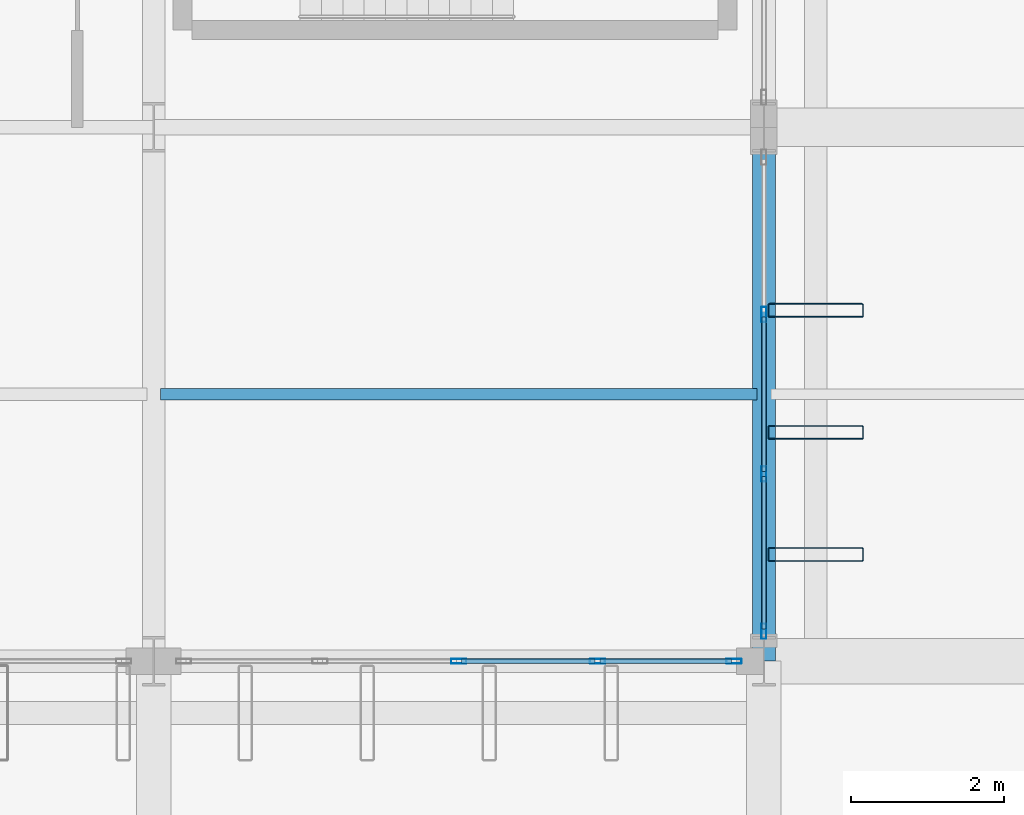
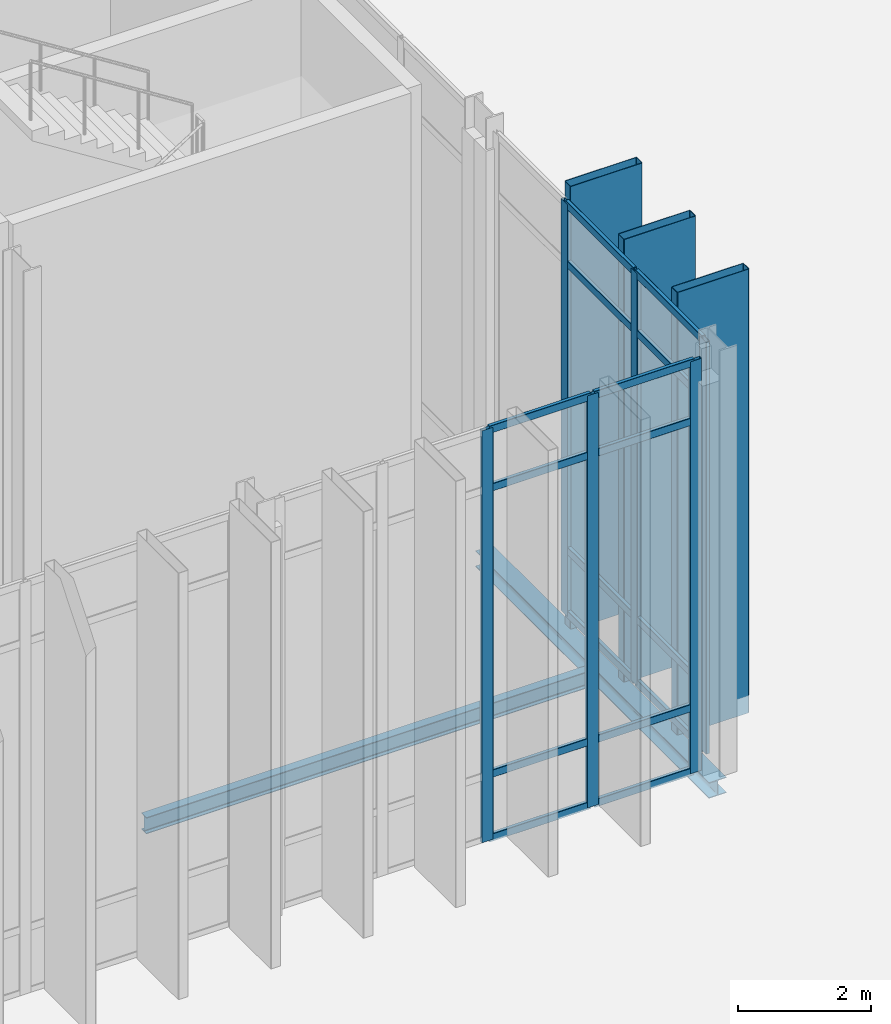
# One storey, part 87 of 176: 25 members, 2 beams, 2 elements without a shape of their own.
"""IFC4 building model written with IfcOpenShell, lengths in metres."""

import ifcopenshell
import ifcopenshell.guid

model = None  # the IFC model being written
_history = None  # IfcOwnerHistory: only IFC2X3 demands one
_inside = {}  # id of a spatial element -> (the spatial element, [elements in it])
_under = {}  # id of a project, library or spatial element -> (it, [spatial elements below it])
_declared = {}  # id of a project -> (the project, [libraries it declares])
_typed = {}  # id of a type object -> (the type object, [elements of that type])
_made_of = {}  # id of a material, layer set ... -> (it, [elements and type objects made of it])


def new_model(schema):
    """Start an empty IFC model of exactly this schema.

    Asked for "IFC4X3", IfcOpenShell would pick the latest addendum, in which some entities
    have other attributes; the version numbers below select the first issue.
    IFC2X3 requires an IfcOwnerHistory on every rooted entity: one is made here for all.
    """
    global model, _history
    if schema == "IFC4X3":
        model = ifcopenshell.file(schema_version=(4, 3, 0, 0))
    else:
        model = ifcopenshell.file(schema=schema)
    _inside.clear()
    _under.clear()
    _declared.clear()
    _typed.clear()
    _made_of.clear()
    _history = None
    if model.schema == "IFC2X3":
        org = make("IfcOrganization", Name="unknown")
        user = make(
            "IfcPersonAndOrganization",
            ThePerson=make("IfcPerson", FamilyName="unknown"),
            TheOrganization=org,
        )
        app = make(
            "IfcApplication",
            ApplicationDeveloper=org,
            Version="unknown",
            ApplicationFullName="unknown",
            ApplicationIdentifier="unknown",
        )
        _history = make(
            "IfcOwnerHistory",
            OwningUser=user,
            OwningApplication=app,
            ChangeAction="ADDED",
            CreationDate=0,
        )
    return model


def make(cls, **values):
    """One entity of the class cls with the attributes given. An attribute that is None is left unset."""
    return model.create_entity(
        cls, **{name: value for name, value in values.items() if value is not None}
    )


def rooted(cls, **values):
    """An entity with a GlobalId (a new one), such as an element, a storey or a relation."""
    return make(cls, GlobalId=ifcopenshell.guid.new(), OwnerHistory=_history, **values)


def si_unit(unit_type, name, prefix=None):
    """IfcSIUnit, for example si_unit("LENGTHUNIT", "METRE", prefix="MILLI")."""
    return make("IfcSIUnit", UnitType=unit_type, Prefix=prefix, Name=name)


def assignment(units):
    """IfcUnitAssignment: the units of a project."""
    return None if units is None else make("IfcUnitAssignment", Units=units)


def point(xyz):
    """IfcCartesianPoint."""
    return None if xyz is None else make("IfcCartesianPoint", Coordinates=xyz)


def direction(xyz):
    """IfcDirection."""
    return None if xyz is None else make("IfcDirection", DirectionRatios=xyz)


def frame(location, z_axis=None, x_axis=None):
    """IfcAxis2Placement3D, a coordinate frame: its origin and axes. An axis left out is left unset."""
    return make(
        "IfcAxis2Placement3D",
        Location=point(location),
        Axis=direction(z_axis),
        RefDirection=direction(x_axis),
    )


def frame_2d(location, x_axis=None):
    """IfcAxis2Placement2D, a coordinate frame in the plane: its origin and x axis."""
    return make(
        "IfcAxis2Placement2D", Location=point(location), RefDirection=direction(x_axis)
    )


def origin():
    """The frame at (0, 0, 0) with its axes left unset."""
    return frame((0.0, 0.0, 0.0))


def origin_2d():
    """The frame at (0, 0) in the plane with its x axis left unset."""
    return frame_2d((0.0, 0.0))


def place(relative_to, where):
    """IfcLocalPlacement: puts the frame where relative to a parent placement (None: the world)."""
    return make(
        "IfcLocalPlacement", PlacementRelTo=relative_to, RelativePlacement=where
    )


def context(
    kind, dimensions, precision=None, world=None, true_north=None, identifier=None
):
    """IfcGeometricRepresentationContext, for example the 3D "Model" context."""
    return make(
        "IfcGeometricRepresentationContext",
        ContextIdentifier=identifier,
        ContextType=kind,
        CoordinateSpaceDimension=dimensions,
        Precision=precision,
        WorldCoordinateSystem=world,
        TrueNorth=true_north,
    )


def subcontext(parent, identifier, kind, view, scale=None):
    """IfcGeometricRepresentationSubContext, for example "Body" below "Model"."""
    return make(
        "IfcGeometricRepresentationSubContext",
        ContextIdentifier=identifier,
        ContextType=kind,
        ParentContext=parent,
        TargetScale=scale,
        TargetView=view,
    )


def project(units=None, contexts=None):
    """IfcProject with its units and contexts."""
    return rooted(
        "IfcProject",
        Name="project",
        RepresentationContexts=contexts,
        UnitsInContext=assignment(units),
    )


def spatial(cls, under=None, at=None, **own):
    """A site, building, storey or space (cls), placed at a placement, below another one or the project."""
    s = rooted(cls, ObjectPlacement=at, **own)
    if under is not None:
        _under.setdefault(under.id(), (under, []))[1].append(s)
    return s


def profile(cls, at=None, kind="AREA", **sizes):
    """A parametric profile (cls). Its sizes go by their IFC names, for example OverallWidth=200.0."""
    return make(cls, ProfileType=kind, Position=at, **sizes)


def hollow_rectangle(**sizes):
    """IfcRectangleHollowProfileDef."""
    return profile("IfcRectangleHollowProfileDef", **sizes)


def i_section(**sizes):
    """IfcIShapeProfileDef."""
    return profile("IfcIShapeProfileDef", **sizes)


def extrude(swept, where, along, depth):
    """IfcExtrudedAreaSolid: the profile swept, set in the frame where, extruded along a direction by depth."""
    return make(
        "IfcExtrudedAreaSolid",
        SweptArea=swept,
        Position=where,
        ExtrudedDirection=direction(along),
        Depth=depth,
    )


def shape(context_of_items, identifier, shape_type, items):
    """IfcShapeRepresentation: the items that make up one representation, for example the "Body"."""
    return make(
        "IfcShapeRepresentation",
        ContextOfItems=context_of_items,
        RepresentationIdentifier=identifier,
        RepresentationType=shape_type,
        Items=items,
    )


def material(Name=None, Category=None):
    """IfcMaterial."""
    return make("IfcMaterial", Name=Name, Category=Category)


def layer(
    of_material, thickness, ventilated=None, Name=None, Category=None, Priority=None
):
    """IfcMaterialLayer: one layer of a wall or slab, of a material (None: an air gap)."""
    return make(
        "IfcMaterialLayer",
        Material=of_material,
        LayerThickness=thickness,
        IsVentilated=ventilated,
        Name=Name,
        Category=Category,
        Priority=Priority,
    )


def layer_set(layers, Name=None):
    """IfcMaterialLayerSet."""
    return make("IfcMaterialLayerSet", MaterialLayers=layers, LayerSetName=Name)


def material_profile(
    of_material, cross_section, Name=None, Category=None, Priority=None
):
    """IfcMaterialProfile: a cross section and its material."""
    return make(
        "IfcMaterialProfile",
        Name=Name,
        Material=of_material,
        Profile=cross_section,
        Priority=Priority,
        Category=Category,
    )


def profile_set(profiles, Name=None, composite=None):
    """IfcMaterialProfileSet."""
    return make(
        "IfcMaterialProfileSet",
        Name=Name,
        MaterialProfiles=profiles,
        CompositeProfile=composite,
    )


def made_of(thing, what):
    """Note that an element or type object is made of a material, layer set ...; save() writes the relation."""
    if what is not None:
        _made_of.setdefault(what.id(), (what, []))[1].append(thing)
    return thing


def type_object(cls, material=None, **own):
    """A type object (cls), such as IfcWallType, which elements share."""
    return made_of(rooted(cls, **own), material)


def element(
    cls,
    number,
    at=None,
    inside=None,
    cuts=None,
    type_object=None,
    material=None,
    context=None,
    identifier="Body",
    shape_type=None,
    held_by="IfcProductDefinitionShape",
    body=None,
    shapes=None,
    **own,
):
    """One element of the class cls, such as IfcWall. Its Tag is "e" and its number.

    at: its placement. inside: the storey or other place that contains it. cuts: it is an
    opening in that element (IfcRelVoidsElement). A single representation is given by context,
    identifier, shape_type and body (its items); several are given by shapes. held_by: the class
    of the entity that holds the representations. save() writes the other relations.
    """
    e = rooted(cls, Tag="e%d" % number, ObjectPlacement=at, **own)
    if body is not None:
        shapes = [shape(context, identifier, shape_type, body)]
    if shapes is not None:
        e.Representation = make(held_by, Representations=shapes)
    if inside is not None:
        _inside.setdefault(inside.id(), (inside, []))[1].append(e)
    if cuts is not None:
        rooted(
            "IfcRelVoidsElement", RelatingBuildingElement=cuts, RelatedOpeningElement=e
        )
    if type_object is not None:
        _typed.setdefault(type_object.id(), (type_object, []))[1].append(e)
    return made_of(e, material)


def aggregate(whole, parts):
    """IfcRelAggregates: a whole, such as a stair, and the parts it consists of."""
    return rooted("IfcRelAggregates", RelatingObject=whole, RelatedObjects=parts)


def save(model, path):
    """Write the relations noted so far, then the file.

    IfcRelAggregates (storeys below a building ...), IfcRelContainedInSpatialStructure (elements
    in a storey), IfcRelDefinesByType, IfcRelAssociatesMaterial and IfcRelDeclares: one each for
    every whole, place, type object, material and project.
    """
    for whole, parts in _under.values():
        aggregate(whole, parts)
    for where, things in _inside.values():
        rooted(
            "IfcRelContainedInSpatialStructure",
            RelatedElements=things,
            RelatingStructure=where,
        )
    for kind, things in _typed.values():
        rooted("IfcRelDefinesByType", RelatedObjects=things, RelatingType=kind)
    for what, things in _made_of.values():
        rooted("IfcRelAssociatesMaterial", RelatedObjects=things, RelatingMaterial=what)
    for by, libraries in _declared.values():
        rooted("IfcRelDeclares", RelatingContext=by, RelatedDefinitions=libraries)
    model.write(path)


model = new_model("IFC4")

# Units and contexts
model_context = context("Model", 3, precision=1e-05, world=origin(), true_north=direction((0.0, 1.0)))
body_context = subcontext(model_context, "Body", "Model", "MODEL_VIEW")
ifc_project = project(units=[si_unit("LENGTHUNIT", "METRE"), si_unit("AREAUNIT", "SQUARE_METRE"), si_unit("VOLUMEUNIT", "CUBIC_METRE"), si_unit("PLANEANGLEUNIT", "RADIAN"), si_unit("MASSUNIT", "GRAM", prefix="KILO")], contexts=[model_context])

# Site, building, storey
site_placement = place(None, origin())
site = spatial("IfcSite", under=ifc_project, at=site_placement, CompositionType="ELEMENT")
building_placement = place(site_placement, origin())
building = spatial("IfcBuilding", under=site, at=building_placement, Name="Vekula Escarpment Museum", CompositionType="ELEMENT")
storey_placement = place(building_placement, origin())
storey = spatial("IfcBuildingStorey", under=building, at=storey_placement, Name="L01", CompositionType="ELEMENT", Elevation=0.0)

# Beams
ifc_material_1 = material(Name="Steel S355", Category="steel")
ifc_material_profile_1 = material_profile(ifc_material_1, i_section(OverallWidth=0.14990234375, OverallDepth=0.300048828125, WebThickness=0.007080078125, FlangeThickness=0.0107421875, FilletRadius=0.014892578125, at=origin_2d()), Name="IPE 300")
ifc_profile_set_1 = profile_set([ifc_material_profile_1], Name="Steel S355")
beam_type_1 = type_object("IfcBeamType", Name="BM-JST-IPE300", PredefinedType="JOIST", material=ifc_profile_set_1)
beam_1_placement = place(storey_placement, frame((118.090087890625, 49.10009765625, -0.449951171875), z_axis=(1.0, 0.0, 0.0), x_axis=(0.0, 1.0, 0.0)))
element("IfcBeam", 1, at=beam_1_placement, inside=storey, type_object=beam_type_1, Name="Secondary Joist L01 0394", PredefinedType="JOIST", context=body_context, shape_type="SweptSolid", body=[
    extrude(i_section(OverallWidth=0.14990234375, OverallDepth=0.300048828125, WebThickness=0.007080078125, FlangeThickness=0.0107421875, FilletRadius=0.014892578125, at=origin_2d()), origin(), (0.0, 0.0, 1.0), 7.81982421875),
])
ifc_material_2 = material(Name="Steel S355", Category="steel")
ifc_material_profile_2 = material_profile(ifc_material_2, i_section(OverallWidth=0.300048828125, OverallDepth=0.2900390625, WebThickness=0.008544921875, FlangeThickness=0.013916015625, FilletRadius=0.027099609375, at=origin_2d()), Name="HEA 300")
ifc_profile_set_2 = profile_set([ifc_material_profile_2], Name="Steel S355")
beam_type_2 = type_object("IfcBeamType", Name="BM-SPAN-HEA300", PredefinedType="SPANDREL", material=ifc_profile_set_2)
beam_2_placement = place(storey_placement, frame((126.0, 45.60009765625, -0.445068359375), z_axis=(0.0, 1.0, 0.0), x_axis=(-1.0, 0.0, 0.0)))
element("IfcBeam", 2, at=beam_2_placement, inside=storey, type_object=beam_type_2, Name="Beam Y L01 0655", PredefinedType="SPANDREL", context=body_context, shape_type="SweptSolid", body=[
    extrude(i_section(OverallWidth=0.300048828125, OverallDepth=0.2900390625, WebThickness=0.008544921875, FlangeThickness=0.013916015625, FilletRadius=0.027099609375, at=origin_2d()), origin(), (0.0, 0.0, 1.0), 7.0),
])

# Curtain wall, members
ifc_material_3 = material(Name="Aluminium thermally broken framing", Category="aluminium")
ifc_layer_1 = layer(ifc_material_3, 0.14990234375)
ifc_layer_set_1 = layer_set([ifc_layer_1], Name="Aluminium thermally broken framing")
curtain_wall_type_1 = type_object("IfcCurtainWallType", Name="CW-SYS-09", PredefinedType="NOTDEFINED", material=ifc_layer_set_1)
curtain_wall_1_placement = place(storey_placement, origin())
curtain_wall_1 = element("IfcCurtainWall", 3, at=curtain_wall_1_placement, inside=storey, type_object=curtain_wall_type_1, Name="Curtain Wall CW-L01-009", PredefinedType="NOTDEFINED")
ifc_material_4 = material(Name="Aluminium anodized mullion", Category="aluminium")
ifc_material_profile_3 = material_profile(ifc_material_4, hollow_rectangle(XDim=0.06494140625, YDim=0.199951171875, WallThickness=0.00390625, InnerFilletRadius=0.00390625, OuterFilletRadius=0.008056640625, at=origin_2d()), Name="ALU 200x65x4")
ifc_profile_set_3 = profile_set([ifc_material_profile_3], Name="Aluminium anodized mullion")
member_type_1 = type_object("IfcMemberType", Name="CW-MUL-200", PredefinedType="MULLION", material=ifc_profile_set_3)
member_1_placement = place(storey_placement, frame((122.0, 45.60009765625, 0.0), z_axis=(0.0, 0.0, 1.0), x_axis=(0.0, 1.0, 0.0)))
member_1 = element("IfcMember", 4, at=member_1_placement, type_object=member_type_1, Name="CW-09 mullion 3", PredefinedType="MULLION", context=body_context, shape_type="SweptSolid", body=[
    extrude(hollow_rectangle(XDim=0.06494140625, YDim=0.199951171875, WallThickness=0.00390625, InnerFilletRadius=0.00390625, OuterFilletRadius=0.008056640625, at=origin_2d()), origin(), (0.0, 0.0, 1.0), 7.5400390625),
])
member_2_placement = place(storey_placement, frame((123.820068359375, 45.60009765625, 0.0), z_axis=(0.0, 0.0, 1.0), x_axis=(0.0, 1.0, 0.0)))
member_2 = element("IfcMember", 5, at=member_2_placement, type_object=member_type_1, Name="CW-09 mullion 4", PredefinedType="MULLION", context=body_context, shape_type="SweptSolid", body=[
    extrude(hollow_rectangle(XDim=0.06494140625, YDim=0.199951171875, WallThickness=0.00390625, InnerFilletRadius=0.00390625, OuterFilletRadius=0.008056640625, at=origin_2d()), origin(), (0.0, 0.0, 1.0), 7.5400390625),
])
member_3_placement = place(storey_placement, frame((125.607421875, 45.60009765625, 0.0), z_axis=(0.0, 0.0, 1.0), x_axis=(0.0, 1.0, 0.0)))
member_3 = element("IfcMember", 6, at=member_3_placement, type_object=member_type_1, Name="CW-09 mullion 5", PredefinedType="MULLION", context=body_context, shape_type="SweptSolid", body=[
    extrude(hollow_rectangle(XDim=0.06494140625, YDim=0.199951171875, WallThickness=0.00390625, InnerFilletRadius=0.00390625, OuterFilletRadius=0.008056640625, at=origin_2d()), origin(), (0.0, 0.0, 1.0), 7.5400390625),
])

ifc_material_5 = material(Name="Aluminium thermally broken framing", Category="aluminium")
ifc_layer_2 = layer(ifc_material_5, 0.169921875)
ifc_layer_set_2 = layer_set([ifc_layer_2], Name="Aluminium thermally broken framing")
curtain_wall_type_2 = type_object("IfcCurtainWallType", Name="CW-SYS-10", PredefinedType="NOTDEFINED", material=ifc_layer_set_2)
curtain_wall_2_placement = place(storey_placement, origin())
curtain_wall_2 = element("IfcCurtainWall", 7, at=curtain_wall_2_placement, inside=storey, type_object=curtain_wall_type_2, Name="Curtain Wall CW-L01-010", PredefinedType="NOTDEFINED")
member_4_placement = place(storey_placement, frame((126.0, 45.992431640625, 0.0), z_axis=(0.0, 0.0, 1.0), x_axis=(-1.0, 0.0, 0.0)))
member_4 = element("IfcMember", 8, at=member_4_placement, type_object=member_type_1, Name="CW-10 mullion 1", PredefinedType="MULLION", context=body_context, shape_type="SweptSolid", body=[
    extrude(hollow_rectangle(XDim=0.06494140625, YDim=0.199951171875, WallThickness=0.00390625, InnerFilletRadius=0.00390625, OuterFilletRadius=0.008056640625, at=origin_2d()), origin(), (0.0, 0.0, 1.0), 7.5400390625),
])
member_5_placement = place(storey_placement, frame((126.0, 48.05322265625, 0.0), z_axis=(0.0, 0.0, 1.0), x_axis=(-1.0, 0.0, 0.0)))
member_5 = element("IfcMember", 9, at=member_5_placement, type_object=member_type_1, Name="CW-10 mullion 2", PredefinedType="MULLION", context=body_context, shape_type="SweptSolid", body=[
    extrude(hollow_rectangle(XDim=0.06494140625, YDim=0.199951171875, WallThickness=0.00390625, InnerFilletRadius=0.00390625, OuterFilletRadius=0.008056640625, at=origin_2d()), origin(), (0.0, 0.0, 1.0), 7.5400390625),
])
member_6_placement = place(storey_placement, frame((126.0, 50.146728515625, 0.0), z_axis=(0.0, 0.0, 1.0), x_axis=(-1.0, 0.0, 0.0)))
member_6 = element("IfcMember", 10, at=member_6_placement, type_object=member_type_1, Name="CW-10 mullion 3", PredefinedType="MULLION", context=body_context, shape_type="SweptSolid", body=[
    extrude(hollow_rectangle(XDim=0.06494140625, YDim=0.199951171875, WallThickness=0.00390625, InnerFilletRadius=0.00390625, OuterFilletRadius=0.008056640625, at=origin_2d()), origin(), (0.0, 0.0, 1.0), 7.5400390625),
])

# Member
ifc_material_6 = material(Name="Aluminium anodized transom", Category="aluminium")
ifc_material_profile_4 = material_profile(ifc_material_6, hollow_rectangle(XDim=0.06494140625, YDim=0.139892578125, WallThickness=0.00390625, InnerFilletRadius=0.00390625, OuterFilletRadius=0.008056640625, at=origin_2d()), Name="ALU 140x65x4")
ifc_profile_set_4 = profile_set([ifc_material_profile_4], Name="Aluminium anodized transom")
member_type_2 = type_object("IfcMemberType", Name="CW-TRN-140", PredefinedType="USERDEFINED", material=ifc_profile_set_4)
member_7_placement = place(storey_placement, frame((122.032470703125, 45.60009765625, 0.032470703125), z_axis=(1.0, 0.0, 0.0), x_axis=(0.0, 1.0, 0.0)))
member_7 = element("IfcMember", 11, at=member_7_placement, type_object=member_type_2, Name="CW-09 transom 3.1", ObjectType="TRANSOM", PredefinedType="USERDEFINED", context=body_context, shape_type="SweptSolid", body=[
    extrude(hollow_rectangle(XDim=0.06494140625, YDim=0.139892578125, WallThickness=0.00390625, InnerFilletRadius=0.00390625, OuterFilletRadius=0.008056640625, at=origin_2d()), origin(), (0.0, 0.0, 1.0), 1.755126953125),
])

member_8_placement = place(storey_placement, frame((122.032470703125, 45.60009765625, 1.199951171875), z_axis=(1.0, 0.0, 0.0), x_axis=(0.0, 1.0, 0.0)))
member_8 = element("IfcMember", 12, at=member_8_placement, type_object=member_type_2, Name="CW-09 transom 3.2", ObjectType="TRANSOM", PredefinedType="USERDEFINED", context=body_context, shape_type="SweptSolid", body=[
    extrude(hollow_rectangle(XDim=0.06494140625, YDim=0.139892578125, WallThickness=0.00390625, InnerFilletRadius=0.00390625, OuterFilletRadius=0.008056640625, at=origin_2d()), origin(), (0.0, 0.0, 1.0), 1.755126953125),
])

member_9_placement = place(storey_placement, frame((122.032470703125, 45.60009765625, 6.43994140625), z_axis=(1.0, 0.0, 0.0), x_axis=(0.0, 1.0, 0.0)))
member_9 = element("IfcMember", 13, at=member_9_placement, type_object=member_type_2, Name="CW-09 transom 3.3", ObjectType="TRANSOM", PredefinedType="USERDEFINED", context=body_context, shape_type="SweptSolid", body=[
    extrude(hollow_rectangle(XDim=0.06494140625, YDim=0.139892578125, WallThickness=0.00390625, InnerFilletRadius=0.00390625, OuterFilletRadius=0.008056640625, at=origin_2d()), origin(), (0.0, 0.0, 1.0), 1.755126953125),
])

member_10_placement = place(storey_placement, frame((122.032470703125, 45.60009765625, 7.507568359375), z_axis=(1.0, 0.0, 0.0), x_axis=(0.0, 1.0, 0.0)))
member_10 = element("IfcMember", 14, at=member_10_placement, type_object=member_type_2, Name="CW-09 transom 3.4", ObjectType="TRANSOM", PredefinedType="USERDEFINED", context=body_context, shape_type="SweptSolid", body=[
    extrude(hollow_rectangle(XDim=0.06494140625, YDim=0.139892578125, WallThickness=0.00390625, InnerFilletRadius=0.00390625, OuterFilletRadius=0.008056640625, at=origin_2d()), origin(), (0.0, 0.0, 1.0), 1.755126953125),
])

member_11_placement = place(storey_placement, frame((123.8525390625, 45.60009765625, 0.032470703125), z_axis=(1.0, 0.0, 0.0), x_axis=(0.0, 1.0, 0.0)))
member_11 = element("IfcMember", 15, at=member_11_placement, type_object=member_type_2, Name="CW-09 transom 4.1", ObjectType="TRANSOM", PredefinedType="USERDEFINED", context=body_context, shape_type="SweptSolid", body=[
    extrude(hollow_rectangle(XDim=0.06494140625, YDim=0.139892578125, WallThickness=0.00390625, InnerFilletRadius=0.00390625, OuterFilletRadius=0.008056640625, at=origin_2d()), origin(), (0.0, 0.0, 1.0), 1.722412109375),
])

member_12_placement = place(storey_placement, frame((123.8525390625, 45.60009765625, 1.199951171875), z_axis=(1.0, 0.0, 0.0), x_axis=(0.0, 1.0, 0.0)))
member_12 = element("IfcMember", 16, at=member_12_placement, type_object=member_type_2, Name="CW-09 transom 4.2", ObjectType="TRANSOM", PredefinedType="USERDEFINED", context=body_context, shape_type="SweptSolid", body=[
    extrude(hollow_rectangle(XDim=0.06494140625, YDim=0.139892578125, WallThickness=0.00390625, InnerFilletRadius=0.00390625, OuterFilletRadius=0.008056640625, at=origin_2d()), origin(), (0.0, 0.0, 1.0), 1.722412109375),
])

member_13_placement = place(storey_placement, frame((123.8525390625, 45.60009765625, 6.43994140625), z_axis=(1.0, 0.0, 0.0), x_axis=(0.0, 1.0, 0.0)))
member_13 = element("IfcMember", 17, at=member_13_placement, type_object=member_type_2, Name="CW-09 transom 4.3", ObjectType="TRANSOM", PredefinedType="USERDEFINED", context=body_context, shape_type="SweptSolid", body=[
    extrude(hollow_rectangle(XDim=0.06494140625, YDim=0.139892578125, WallThickness=0.00390625, InnerFilletRadius=0.00390625, OuterFilletRadius=0.008056640625, at=origin_2d()), origin(), (0.0, 0.0, 1.0), 1.722412109375),
])

member_14_placement = place(storey_placement, frame((123.8525390625, 45.60009765625, 7.507568359375), z_axis=(1.0, 0.0, 0.0), x_axis=(0.0, 1.0, 0.0)))
member_14 = element("IfcMember", 18, at=member_14_placement, type_object=member_type_2, Name="CW-09 transom 4.4", ObjectType="TRANSOM", PredefinedType="USERDEFINED", context=body_context, shape_type="SweptSolid", body=[
    extrude(hollow_rectangle(XDim=0.06494140625, YDim=0.139892578125, WallThickness=0.00390625, InnerFilletRadius=0.00390625, OuterFilletRadius=0.008056640625, at=origin_2d()), origin(), (0.0, 0.0, 1.0), 1.722412109375),
])

aggregate(curtain_wall_1, [member_1, member_2, member_3, member_7, member_8, member_9, member_10, member_11, member_12, member_13, member_14])

member_15_placement = place(storey_placement, frame((126.0, 46.02490234375, 0.032470703125), z_axis=(0.0, 1.0, 0.0), x_axis=(-1.0, 0.0, 0.0)))
member_15 = element("IfcMember", 19, at=member_15_placement, type_object=member_type_2, Name="CW-10 transom 1.1", ObjectType="TRANSOM", PredefinedType="USERDEFINED", context=body_context, shape_type="SweptSolid", body=[
    extrude(hollow_rectangle(XDim=0.06494140625, YDim=0.139892578125, WallThickness=0.00390625, InnerFilletRadius=0.00390625, OuterFilletRadius=0.008056640625, at=origin_2d()), origin(), (0.0, 0.0, 1.0), 1.995849609375),
])

member_16_placement = place(storey_placement, frame((126.0, 46.02490234375, 1.199951171875), z_axis=(0.0, 1.0, 0.0), x_axis=(-1.0, 0.0, 0.0)))
member_16 = element("IfcMember", 20, at=member_16_placement, type_object=member_type_2, Name="CW-10 transom 1.2", ObjectType="TRANSOM", PredefinedType="USERDEFINED", context=body_context, shape_type="SweptSolid", body=[
    extrude(hollow_rectangle(XDim=0.06494140625, YDim=0.139892578125, WallThickness=0.00390625, InnerFilletRadius=0.00390625, OuterFilletRadius=0.008056640625, at=origin_2d()), origin(), (0.0, 0.0, 1.0), 1.995849609375),
])

member_17_placement = place(storey_placement, frame((126.0, 46.02490234375, 6.43994140625), z_axis=(0.0, 1.0, 0.0), x_axis=(-1.0, 0.0, 0.0)))
member_17 = element("IfcMember", 21, at=member_17_placement, type_object=member_type_2, Name="CW-10 transom 1.3", ObjectType="TRANSOM", PredefinedType="USERDEFINED", context=body_context, shape_type="SweptSolid", body=[
    extrude(hollow_rectangle(XDim=0.06494140625, YDim=0.139892578125, WallThickness=0.00390625, InnerFilletRadius=0.00390625, OuterFilletRadius=0.008056640625, at=origin_2d()), origin(), (0.0, 0.0, 1.0), 1.995849609375),
])

member_18_placement = place(storey_placement, frame((126.0, 46.02490234375, 7.507568359375), z_axis=(0.0, 1.0, 0.0), x_axis=(-1.0, 0.0, 0.0)))
member_18 = element("IfcMember", 22, at=member_18_placement, type_object=member_type_2, Name="CW-10 transom 1.4", ObjectType="TRANSOM", PredefinedType="USERDEFINED", context=body_context, shape_type="SweptSolid", body=[
    extrude(hollow_rectangle(XDim=0.06494140625, YDim=0.139892578125, WallThickness=0.00390625, InnerFilletRadius=0.00390625, OuterFilletRadius=0.008056640625, at=origin_2d()), origin(), (0.0, 0.0, 1.0), 1.995849609375),
])

member_19_placement = place(storey_placement, frame((126.0, 48.0859375, 0.032470703125), z_axis=(0.0, 1.0, 0.0), x_axis=(-1.0, 0.0, 0.0)))
member_19 = element("IfcMember", 23, at=member_19_placement, type_object=member_type_2, Name="CW-10 transom 2.1", ObjectType="TRANSOM", PredefinedType="USERDEFINED", context=body_context, shape_type="SweptSolid", body=[
    extrude(hollow_rectangle(XDim=0.06494140625, YDim=0.139892578125, WallThickness=0.00390625, InnerFilletRadius=0.00390625, OuterFilletRadius=0.008056640625, at=origin_2d()), origin(), (0.0, 0.0, 1.0), 2.0283203125),
])

member_20_placement = place(storey_placement, frame((126.0, 48.0859375, 1.199951171875), z_axis=(0.0, 1.0, 0.0), x_axis=(-1.0, 0.0, 0.0)))
member_20 = element("IfcMember", 24, at=member_20_placement, type_object=member_type_2, Name="CW-10 transom 2.2", ObjectType="TRANSOM", PredefinedType="USERDEFINED", context=body_context, shape_type="SweptSolid", body=[
    extrude(hollow_rectangle(XDim=0.06494140625, YDim=0.139892578125, WallThickness=0.00390625, InnerFilletRadius=0.00390625, OuterFilletRadius=0.008056640625, at=origin_2d()), origin(), (0.0, 0.0, 1.0), 2.0283203125),
])

member_21_placement = place(storey_placement, frame((126.0, 48.0859375, 6.43994140625), z_axis=(0.0, 1.0, 0.0), x_axis=(-1.0, 0.0, 0.0)))
member_21 = element("IfcMember", 25, at=member_21_placement, type_object=member_type_2, Name="CW-10 transom 2.3", ObjectType="TRANSOM", PredefinedType="USERDEFINED", context=body_context, shape_type="SweptSolid", body=[
    extrude(hollow_rectangle(XDim=0.06494140625, YDim=0.139892578125, WallThickness=0.00390625, InnerFilletRadius=0.00390625, OuterFilletRadius=0.008056640625, at=origin_2d()), origin(), (0.0, 0.0, 1.0), 2.0283203125),
])

member_22_placement = place(storey_placement, frame((126.0, 48.0859375, 7.507568359375), z_axis=(0.0, 1.0, 0.0), x_axis=(-1.0, 0.0, 0.0)))
member_22 = element("IfcMember", 26, at=member_22_placement, type_object=member_type_2, Name="CW-10 transom 2.4", ObjectType="TRANSOM", PredefinedType="USERDEFINED", context=body_context, shape_type="SweptSolid", body=[
    extrude(hollow_rectangle(XDim=0.06494140625, YDim=0.139892578125, WallThickness=0.00390625, InnerFilletRadius=0.00390625, OuterFilletRadius=0.008056640625, at=origin_2d()), origin(), (0.0, 0.0, 1.0), 2.0283203125),
])

aggregate(curtain_wall_2, [member_4, member_5, member_6, member_15, member_16, member_17, member_18, member_19, member_20, member_21, member_22])

# Members
ifc_material_7 = material(Name="Steel S355 weathered bronze solar fin", Category="steel")
ifc_material_profile_5 = material_profile(ifc_material_7, hollow_rectangle(XDim=0.179931640625, YDim=1.25, WallThickness=0.010009765625, InnerFilletRadius=0.010009765625, OuterFilletRadius=0.02001953125, at=origin_2d()), Name="RHS 1250x180x10")
ifc_profile_set_5 = profile_set([ifc_material_profile_5], Name="Steel S355 weathered bronze solar fin")
member_type_3 = type_object("IfcMemberType", Name="MB-SOLAR-FIN", PredefinedType="USERDEFINED", material=ifc_profile_set_5)
for number, where, z_axis, x_axis, name in (
    (27, (126.679931640625, 47.0, -0.320068359375), (0.0, 0.0, 1.0), (0.0, 1.0, 0.0), "Great Hall Vertical Solar Fin 0351"),
    (28, (126.679931640625, 48.60009765625, -0.320068359375), (0.0, 0.0, 1.0), (0.0, 1.0, 0.0), "Great Hall Vertical Solar Fin 0356"),
    (29, (126.679931640625, 50.199951171875, -0.320068359375), (0.0, 0.0, 1.0), (0.0, 1.0, 0.0), "Great Hall Vertical Solar Fin 0361"),
):
    element("IfcMember", number, at=place(storey_placement, frame(where, z_axis=z_axis, x_axis=x_axis)), inside=storey, type_object=member_type_3, Name=name, ObjectType="SOLAR FIN", PredefinedType="USERDEFINED", context=body_context, shape_type="SweptSolid", body=[
        extrude(hollow_rectangle(XDim=0.179931640625, YDim=1.25, WallThickness=0.010009765625, InnerFilletRadius=0.010009765625, OuterFilletRadius=0.02001953125, at=origin_2d()), origin(), (0.0, 0.0, 1.0), 8.1201171875),
    ])

save(model, "model.ifc")
